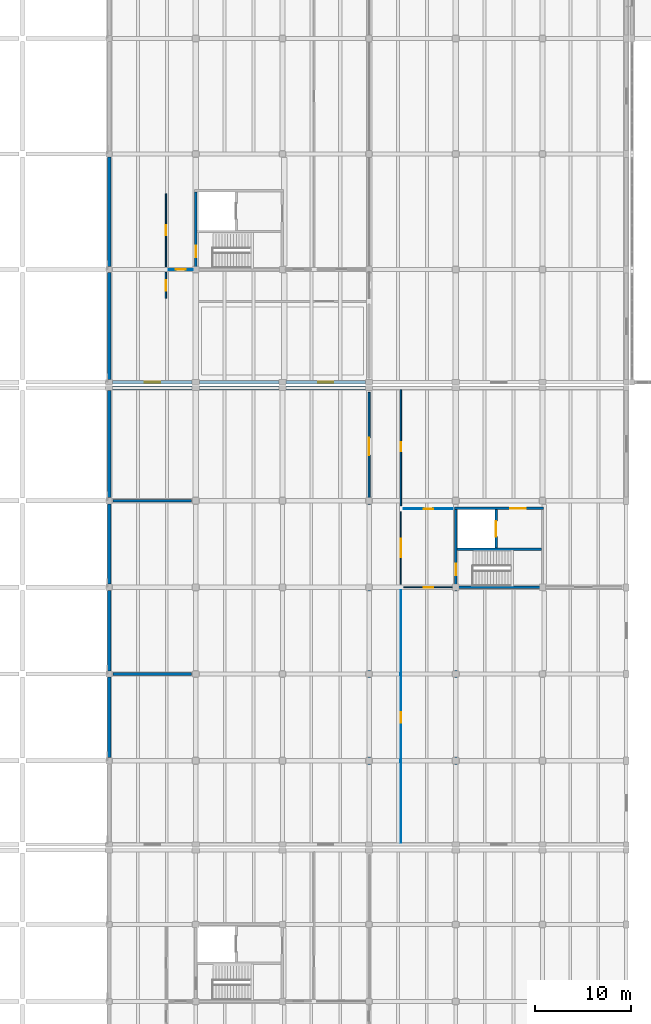
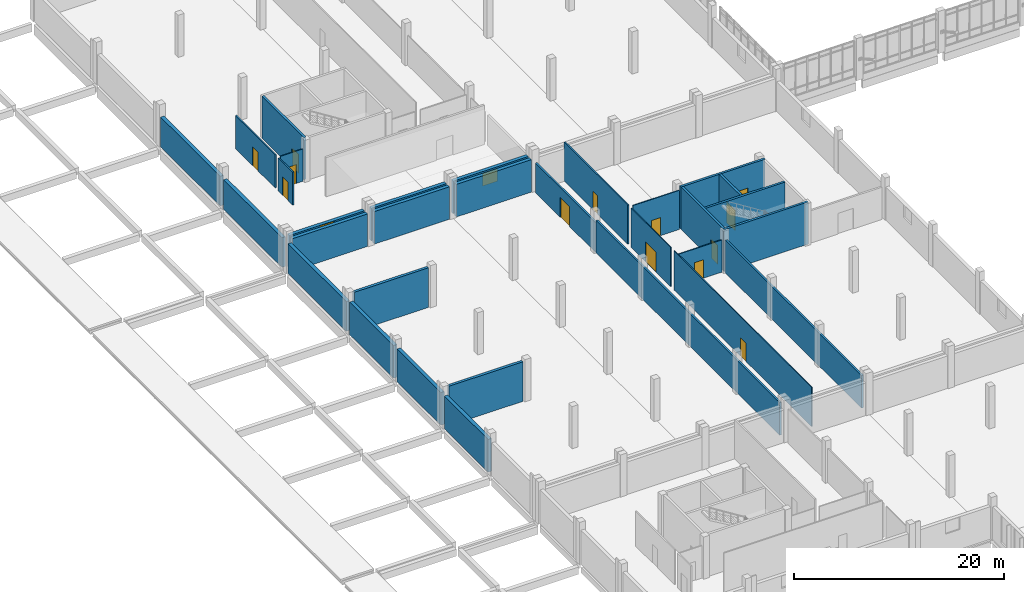
# One storey, part 80 of 110: 31 walls, 13 doors, 2 windows, 15 openings.
"""IFC4 building model written with IfcOpenShell, lengths in metres."""

import ifcopenshell
import ifcopenshell.guid

model = None  # the IFC model being written
_history = None  # IfcOwnerHistory: only IFC2X3 demands one
_inside = {}  # id of a spatial element -> (the spatial element, [elements in it])
_under = {}  # id of a project, library or spatial element -> (it, [spatial elements below it])
_declared = {}  # id of a project -> (the project, [libraries it declares])
_typed = {}  # id of a type object -> (the type object, [elements of that type])
_made_of = {}  # id of a material, layer set ... -> (it, [elements and type objects made of it])


def new_model(schema):
    """Start an empty IFC model of exactly this schema.

    Asked for "IFC4X3", IfcOpenShell would pick the latest addendum, in which some entities
    have other attributes; the version numbers below select the first issue.
    IFC2X3 requires an IfcOwnerHistory on every rooted entity: one is made here for all.
    """
    global model, _history
    if schema == "IFC4X3":
        model = ifcopenshell.file(schema_version=(4, 3, 0, 0))
    else:
        model = ifcopenshell.file(schema=schema)
    _inside.clear()
    _under.clear()
    _declared.clear()
    _typed.clear()
    _made_of.clear()
    _history = None
    if model.schema == "IFC2X3":
        org = make("IfcOrganization", Name="unknown")
        user = make(
            "IfcPersonAndOrganization",
            ThePerson=make("IfcPerson", FamilyName="unknown"),
            TheOrganization=org,
        )
        app = make(
            "IfcApplication",
            ApplicationDeveloper=org,
            Version="unknown",
            ApplicationFullName="unknown",
            ApplicationIdentifier="unknown",
        )
        _history = make(
            "IfcOwnerHistory",
            OwningUser=user,
            OwningApplication=app,
            ChangeAction="ADDED",
            CreationDate=0,
        )
    return model


def make(cls, **values):
    """One entity of the class cls with the attributes given. An attribute that is None is left unset."""
    return model.create_entity(
        cls, **{name: value for name, value in values.items() if value is not None}
    )


def rooted(cls, **values):
    """An entity with a GlobalId (a new one), such as an element, a storey or a relation."""
    return make(cls, GlobalId=ifcopenshell.guid.new(), OwnerHistory=_history, **values)


def si_unit(unit_type, name, prefix=None):
    """IfcSIUnit, for example si_unit("LENGTHUNIT", "METRE", prefix="MILLI")."""
    return make("IfcSIUnit", UnitType=unit_type, Prefix=prefix, Name=name)


def assignment(units):
    """IfcUnitAssignment: the units of a project."""
    return None if units is None else make("IfcUnitAssignment", Units=units)


def point(xyz):
    """IfcCartesianPoint."""
    return None if xyz is None else make("IfcCartesianPoint", Coordinates=xyz)


def direction(xyz):
    """IfcDirection."""
    return None if xyz is None else make("IfcDirection", DirectionRatios=xyz)


def frame(location, z_axis=None, x_axis=None):
    """IfcAxis2Placement3D, a coordinate frame: its origin and axes. An axis left out is left unset."""
    return make(
        "IfcAxis2Placement3D",
        Location=point(location),
        Axis=direction(z_axis),
        RefDirection=direction(x_axis),
    )


def frame_2d(location, x_axis=None):
    """IfcAxis2Placement2D, a coordinate frame in the plane: its origin and x axis."""
    return make(
        "IfcAxis2Placement2D", Location=point(location), RefDirection=direction(x_axis)
    )


def origin():
    """The frame at (0, 0, 0) with its axes left unset."""
    return frame((0.0, 0.0, 0.0))


def place(relative_to, where):
    """IfcLocalPlacement: puts the frame where relative to a parent placement (None: the world)."""
    return make(
        "IfcLocalPlacement", PlacementRelTo=relative_to, RelativePlacement=where
    )


def context(
    kind, dimensions, precision=None, world=None, true_north=None, identifier=None
):
    """IfcGeometricRepresentationContext, for example the 3D "Model" context."""
    return make(
        "IfcGeometricRepresentationContext",
        ContextIdentifier=identifier,
        ContextType=kind,
        CoordinateSpaceDimension=dimensions,
        Precision=precision,
        WorldCoordinateSystem=world,
        TrueNorth=true_north,
    )


def subcontext(parent, identifier, kind, view, scale=None):
    """IfcGeometricRepresentationSubContext, for example "Body" below "Model"."""
    return make(
        "IfcGeometricRepresentationSubContext",
        ContextIdentifier=identifier,
        ContextType=kind,
        ParentContext=parent,
        TargetScale=scale,
        TargetView=view,
    )


def project(units=None, contexts=None):
    """IfcProject with its units and contexts."""
    return rooted(
        "IfcProject",
        Name="project",
        RepresentationContexts=contexts,
        UnitsInContext=assignment(units),
    )


def spatial(cls, under=None, at=None, **own):
    """A site, building, storey or space (cls), placed at a placement, below another one or the project."""
    s = rooted(cls, ObjectPlacement=at, **own)
    if under is not None:
        _under.setdefault(under.id(), (under, []))[1].append(s)
    return s


def profile(cls, at=None, kind="AREA", **sizes):
    """A parametric profile (cls). Its sizes go by their IFC names, for example OverallWidth=200.0."""
    return make(cls, ProfileType=kind, Position=at, **sizes)


def rectangle(**sizes):
    """IfcRectangleProfileDef."""
    return profile("IfcRectangleProfileDef", **sizes)


def extrude(swept, where, along, depth):
    """IfcExtrudedAreaSolid: the profile swept, set in the frame where, extruded along a direction by depth."""
    return make(
        "IfcExtrudedAreaSolid",
        SweptArea=swept,
        Position=where,
        ExtrudedDirection=direction(along),
        Depth=depth,
    )


def shape(context_of_items, identifier, shape_type, items):
    """IfcShapeRepresentation: the items that make up one representation, for example the "Body"."""
    return make(
        "IfcShapeRepresentation",
        ContextOfItems=context_of_items,
        RepresentationIdentifier=identifier,
        RepresentationType=shape_type,
        Items=items,
    )


def material(Name=None, Category=None):
    """IfcMaterial."""
    return make("IfcMaterial", Name=Name, Category=Category)


def layer(
    of_material, thickness, ventilated=None, Name=None, Category=None, Priority=None
):
    """IfcMaterialLayer: one layer of a wall or slab, of a material (None: an air gap)."""
    return make(
        "IfcMaterialLayer",
        Material=of_material,
        LayerThickness=thickness,
        IsVentilated=ventilated,
        Name=Name,
        Category=Category,
        Priority=Priority,
    )


def layer_set(layers, Name=None):
    """IfcMaterialLayerSet."""
    return make("IfcMaterialLayerSet", MaterialLayers=layers, LayerSetName=Name)


def made_of(thing, what):
    """Note that an element or type object is made of a material, layer set ...; save() writes the relation."""
    if what is not None:
        _made_of.setdefault(what.id(), (what, []))[1].append(thing)
    return thing


def type_object(cls, material=None, **own):
    """A type object (cls), such as IfcWallType, which elements share."""
    return made_of(rooted(cls, **own), material)


def element(
    cls,
    number,
    at=None,
    inside=None,
    cuts=None,
    type_object=None,
    material=None,
    context=None,
    identifier="Body",
    shape_type=None,
    held_by="IfcProductDefinitionShape",
    body=None,
    shapes=None,
    **own,
):
    """One element of the class cls, such as IfcWall. Its Tag is "e" and its number.

    at: its placement. inside: the storey or other place that contains it. cuts: it is an
    opening in that element (IfcRelVoidsElement). A single representation is given by context,
    identifier, shape_type and body (its items); several are given by shapes. held_by: the class
    of the entity that holds the representations. save() writes the other relations.
    """
    e = rooted(cls, Tag="e%d" % number, ObjectPlacement=at, **own)
    if body is not None:
        shapes = [shape(context, identifier, shape_type, body)]
    if shapes is not None:
        e.Representation = make(held_by, Representations=shapes)
    if inside is not None:
        _inside.setdefault(inside.id(), (inside, []))[1].append(e)
    if cuts is not None:
        rooted(
            "IfcRelVoidsElement", RelatingBuildingElement=cuts, RelatedOpeningElement=e
        )
    if type_object is not None:
        _typed.setdefault(type_object.id(), (type_object, []))[1].append(e)
    return made_of(e, material)


def fill(opening, filler):
    """IfcRelFillsElement: the door or window that sits in an opening."""
    return rooted(
        "IfcRelFillsElement",
        RelatingOpeningElement=opening,
        RelatedBuildingElement=filler,
    )


def aggregate(whole, parts):
    """IfcRelAggregates: a whole, such as a stair, and the parts it consists of."""
    return rooted("IfcRelAggregates", RelatingObject=whole, RelatedObjects=parts)


def save(model, path):
    """Write the relations noted so far, then the file.

    IfcRelAggregates (storeys below a building ...), IfcRelContainedInSpatialStructure (elements
    in a storey), IfcRelDefinesByType, IfcRelAssociatesMaterial and IfcRelDeclares: one each for
    every whole, place, type object, material and project.
    """
    for whole, parts in _under.values():
        aggregate(whole, parts)
    for where, things in _inside.values():
        rooted(
            "IfcRelContainedInSpatialStructure",
            RelatedElements=things,
            RelatingStructure=where,
        )
    for kind, things in _typed.values():
        rooted("IfcRelDefinesByType", RelatedObjects=things, RelatingType=kind)
    for what, things in _made_of.values():
        rooted("IfcRelAssociatesMaterial", RelatedObjects=things, RelatingMaterial=what)
    for by, libraries in _declared.values():
        rooted("IfcRelDeclares", RelatingContext=by, RelatedDefinitions=libraries)
    model.write(path)


model = new_model("IFC4")

# Units and contexts
model_context = context("Model", 3, precision=1e-05, world=origin(), true_north=direction((0.0, 1.0)))
body_context = subcontext(model_context, "Body", "Model", "MODEL_VIEW")
ifc_project = project(units=[si_unit("LENGTHUNIT", "METRE"), si_unit("AREAUNIT", "SQUARE_METRE"), si_unit("VOLUMEUNIT", "CUBIC_METRE"), si_unit("PLANEANGLEUNIT", "RADIAN"), si_unit("MASSUNIT", "GRAM", prefix="KILO")], contexts=[model_context])

# Site, building, storey
site_placement = place(None, origin())
site = spatial("IfcSite", under=ifc_project, at=site_placement, CompositionType="ELEMENT")
building_placement = place(site_placement, origin())
building = spatial("IfcBuilding", under=site, at=building_placement, Name="Zacnel Wholesale Market", CompositionType="ELEMENT")
storey_placement = place(building_placement, frame((0.0, 0.0, 6.300048828125)))
storey = spatial("IfcBuildingStorey", under=building, at=storey_placement, Name="L02", CompositionType="ELEMENT", Elevation=6.300048828125)

# Walls
ifc_material_1 = material(Name="PIR insulated cold-store panel")
ifc_layer_1 = layer(ifc_material_1, 0.2099609375)
ifc_layer_set_1 = layer_set([ifc_layer_1], Name="PIR insulated cold-store panel")
wall_type_1 = type_object("IfcWallType", Name="WL-COLD-INT210", PredefinedType="STANDARD", material=ifc_layer_set_1)
wall_1_placement = place(storey_placement, frame((54.0, 48.75, 0.0), z_axis=(0.0, 0.0, 1.0), x_axis=(0.0, 1.0, 0.0)))
element("IfcWall", 1, at=wall_1_placement, inside=storey, type_object=wall_type_1, Name="Interior partition L02-0073", PredefinedType="STANDARD", context=body_context, shape_type="SweptSolid", body=[
    extrude(rectangle(XDim=25.949951171875, YDim=0.2099609375, at=frame_2d((12.97509765625, 0.0))), origin(), (0.0, 0.0, 1.0), 3.800048828125),
])
ifc_material_2 = material(Name="Concrete C40/50", Category="concrete")
ifc_layer_2 = layer(ifc_material_2, 0.25)
ifc_layer_set_2 = layer_set([ifc_layer_2], Name="Concrete C40/50")
wall_type_2 = type_object("IfcWallType", Name="WL-CORE-SW250", PredefinedType="SOLIDWALL", material=ifc_layer_set_2)
wall_2_placement = place(storey_placement, frame((53.875, 75.0, 0.0), z_axis=(0.0, 0.0, 1.0), x_axis=(1.0, 0.0, 0.0)))
element("IfcWall", 2, at=wall_2_placement, inside=storey, type_object=wall_type_2, Name="Core C4 south shear wall L02", PredefinedType="SOLIDWALL", context=body_context, shape_type="SweptSolid", body=[
    extrude(rectangle(XDim=9.25, YDim=0.25, at=frame_2d((4.625, 0.0))), origin(), (0.0, 0.0, 1.0), 4.89990234375),
])

# Wall, opening, door
wall_3_placement = place(storey_placement, frame((53.875, 83.199951171875, 0.0), z_axis=(0.0, 0.0, 1.0), x_axis=(1.0, 0.0, 0.0)))
wall_3 = element("IfcWall", 3, at=wall_3_placement, inside=storey, type_object=wall_type_2, Name="Core C4 north shear wall L02", PredefinedType="SOLIDWALL", context=body_context, shape_type="SweptSolid", body=[
    extrude(rectangle(XDim=9.25, YDim=0.25, at=frame_2d((4.625, 0.0))), origin(), (0.0, 0.0, 1.0), 4.89990234375),
])
opening_1_placement = place(wall_3_placement, frame((5.77490234375, 0.0, 0.0)))
opening_1 = element("IfcOpeningElement", 4, at=opening_1_placement, cuts=wall_3, Name="Opening FD-02", PredefinedType="OPENING", context=body_context, shape_type="SweptSolid", body=[
    extrude(rectangle(XDim=1.60009765625, YDim=2.199951171875, at=frame_2d((0.800048828125, 1.10009765625))), frame((0.0, 0.135009765625, 0.0), z_axis=(0.0, -1.0, 0.0), x_axis=(1.0, 0.0, 0.0)), (0.0, 0.0, 1.0), 0.27001953125),
])
ifc_material_3 = material(Name="Galvanized steel", Category="steel")
door_type_1 = type_object("IfcDoorType", Name="DR-FIRE-LOBBY-1600", OperationType="NOTDEFINED", PredefinedType="DOOR", material=ifc_material_3)
door_1_placement = place(opening_1_placement, origin())
door_1 = element("IfcDoor", 5, at=door_1_placement, inside=storey, type_object=door_type_1, Name="Core lift lobby fire door C4 L02", OperationType="SINGLE_SWING_LEFT", OverallHeight=2.199951171875, OverallWidth=1.60009765625, PredefinedType="DOOR", context=body_context, shape_type="SweptSolid", body=[
    extrude(rectangle(XDim=1.60009765625, YDim=2.199951171875, at=frame_2d((0.800048828125, 1.10009765625))), frame((0.0, 0.02490234375, 0.0), z_axis=(0.0, -1.0, 0.0), x_axis=(1.0, 0.0, 0.0)), (0.0, 0.0, 1.0), 0.050048828125),
])
fill(opening_1, door_1)

wall_4_placement = place(storey_placement, frame((54.0, 75.125, 0.0), z_axis=(0.0, 0.0, 1.0), x_axis=(0.0, 1.0, 0.0)))
wall_4 = element("IfcWall", 6, at=wall_4_placement, inside=storey, type_object=wall_type_2, Name="Core C4 west shear wall L02", PredefinedType="SOLIDWALL", context=body_context, shape_type="SweptSolid", body=[
    extrude(rectangle(XDim=7.949951171875, YDim=0.25, at=frame_2d((3.97509765625, 0.0))), origin(), (0.0, 0.0, 1.0), 4.89990234375),
])
opening_2_placement = place(wall_4_placement, frame((1.14990234375, 0.0, 0.0)))
opening_2 = element("IfcOpeningElement", 7, at=opening_2_placement, cuts=wall_4, Name="Opening FD-01", PredefinedType="OPENING", context=body_context, shape_type="SweptSolid", body=[
    extrude(rectangle(XDim=1.199951171875, YDim=2.199951171875, at=frame_2d((0.60009765625, 1.10009765625))), frame((0.0, 0.135009765625, 0.0), z_axis=(0.0, -1.0, 0.0), x_axis=(1.0, 0.0, 0.0)), (0.0, 0.0, 1.0), 0.27001953125),
])
ifc_material_4 = material(Name="Galvanized steel", Category="steel")
door_type_2 = type_object("IfcDoorType", Name="DR-FIRE-STAIR-1200", OperationType="NOTDEFINED", PredefinedType="DOOR", material=ifc_material_4)
door_2_placement = place(opening_2_placement, origin())
door_2 = element("IfcDoor", 8, at=door_2_placement, inside=storey, type_object=door_type_2, Name="Protected stair fire door C4 L02", OperationType="SINGLE_SWING_RIGHT", OverallHeight=2.199951171875, OverallWidth=1.199951171875, PredefinedType="DOOR", context=body_context, shape_type="SweptSolid", body=[
    extrude(rectangle(XDim=1.199951171875, YDim=2.199951171875, at=frame_2d((0.60009765625, 1.10009765625))), frame((0.0, 0.02490234375, 0.0), z_axis=(0.0, -1.0, 0.0), x_axis=(1.0, 0.0, 0.0)), (0.0, 0.0, 1.0), 0.050048828125),
])
fill(opening_2, door_2)

# Wall
wall_5_placement = place(storey_placement, frame((54.125, 78.949951171875, 0.0), z_axis=(0.0, 0.0, 1.0), x_axis=(1.0, 0.0, 0.0)))
element("IfcWall", 9, at=wall_5_placement, inside=storey, type_object=wall_type_2, Name="Core C4 stair-shaft shear wall L02", PredefinedType="SOLIDWALL", context=body_context, shape_type="SweptSolid", body=[
    extrude(rectangle(XDim=8.75, YDim=0.25, at=frame_2d((4.375, 0.0))), origin(), (0.0, 0.0, 1.0), 4.89990234375),
])

# Wall, opening, door
wall_6_placement = place(storey_placement, frame((58.199951171875, 79.074951171875, 0.0), z_axis=(0.0, 0.0, 1.0), x_axis=(0.0, 1.0, 0.0)))
wall_6 = element("IfcWall", 10, at=wall_6_placement, inside=storey, type_object=wall_type_2, Name="Core C4 lift shaft front wall L02", PredefinedType="SOLIDWALL", context=body_context, shape_type="SweptSolid", body=[
    extrude(rectangle(XDim=4.0, YDim=0.25, at=frame_2d((2.0, 0.0))), origin(), (0.0, 0.0, 1.0), 4.89990234375),
])
opening_3_placement = place(wall_6_placement, frame((1.199951171875, 0.0, 0.0)))
opening_3 = element("IfcOpeningElement", 11, at=opening_3_placement, cuts=wall_6, Name="Opening LD-02", PredefinedType="OPENING", context=body_context, shape_type="SweptSolid", body=[
    extrude(rectangle(XDim=1.60009765625, YDim=2.39990234375, at=frame_2d((0.800048828125, 1.199951171875))), frame((0.0, 0.135009765625, 0.0), z_axis=(0.0, -1.0, 0.0), x_axis=(1.0, 0.0, 0.0)), (0.0, 0.0, 1.0), 0.27001953125),
])
ifc_material_5 = material(Name="Galvanized steel", Category="steel")
door_type_3 = type_object("IfcDoorType", Name="DR-LIFT-GOODS-1600", OperationType="NOTDEFINED", PredefinedType="DOOR", material=ifc_material_5)
door_3_placement = place(opening_3_placement, origin())
door_3 = element("IfcDoor", 12, at=door_3_placement, inside=storey, type_object=door_type_3, Name="Lift landing door LG-02 L02", OperationType="SLIDING_TO_LEFT", OverallHeight=2.39990234375, OverallWidth=1.60009765625, PredefinedType="DOOR", context=body_context, shape_type="SweptSolid", body=[
    extrude(rectangle(XDim=1.60009765625, YDim=2.39990234375, at=frame_2d((0.800048828125, 1.199951171875))), frame((0.0, 0.02490234375, 0.0), z_axis=(0.0, -1.0, 0.0), x_axis=(1.0, 0.0, 0.0)), (0.0, 0.0, 1.0), 0.050048828125),
])
fill(opening_3, door_3)

wall_7_placement = place(storey_placement, frame((27.0, 108.125, 0.0), z_axis=(0.0, 0.0, 1.0), x_axis=(0.0, 1.0, 0.0)))
wall_7 = element("IfcWall", 13, at=wall_7_placement, inside=storey, type_object=wall_type_2, Name="Core C5 west shear wall L02", PredefinedType="SOLIDWALL", context=body_context, shape_type="SweptSolid", body=[
    extrude(rectangle(XDim=7.949951171875, YDim=0.25, at=frame_2d((3.97509765625, 0.0))), origin(), (0.0, 0.0, 1.0), 4.89990234375),
])
opening_4_placement = place(wall_7_placement, frame((1.14990234375, 0.0, 0.0)))
opening_4 = element("IfcOpeningElement", 14, at=opening_4_placement, cuts=wall_7, Name="Opening FD-01", PredefinedType="OPENING", context=body_context, shape_type="SweptSolid", body=[
    extrude(rectangle(XDim=1.199951171875, YDim=2.199951171875, at=frame_2d((0.60009765625, 1.10009765625))), frame((0.0, 0.135009765625, 0.0), z_axis=(0.0, -1.0, 0.0), x_axis=(1.0, 0.0, 0.0)), (0.0, 0.0, 1.0), 0.27001953125),
])
door_4_placement = place(opening_4_placement, origin())
door_4 = element("IfcDoor", 15, at=door_4_placement, inside=storey, type_object=door_type_2, Name="Protected stair fire door C5 L02", OperationType="SINGLE_SWING_RIGHT", OverallHeight=2.199951171875, OverallWidth=1.199951171875, PredefinedType="DOOR", context=body_context, shape_type="SweptSolid", body=[
    extrude(rectangle(XDim=1.199951171875, YDim=2.199951171875, at=frame_2d((0.60009765625, 1.10009765625))), frame((0.0, 0.02490234375, 0.0), z_axis=(0.0, -1.0, 0.0), x_axis=(1.0, 0.0, 0.0)), (0.0, 0.0, 1.0), 0.050048828125),
])
fill(opening_4, door_4)

# Walls
ifc_material_6 = material(Name="Precast concrete C40/50 (insulated sandwich panel)", Category="concrete")
ifc_layer_3 = layer(ifc_material_6, 0.3798828125)
ifc_layer_set_3 = layer_set([ifc_layer_3], Name="Precast concrete C40/50 (insulated sandwich panel)")
wall_type_3 = type_object("IfcWallType", Name="WL-EXT-COLD-380", PredefinedType="SOLIDWALL", material=ifc_layer_set_3)
for number, where, z_axis, x_axis, name in (
    (16, (18.375, 95.699951171875, 0.0), (0.0, 0.0, 1.0), (1.0, 0.0, 0.0), "Exterior wall L02-0198"),
    (17, (27.375, 95.699951171875, 0.0), (0.0, 0.0, 1.0), (1.0, 0.0, 0.0), "Exterior wall L02-0199"),
    (18, (36.375, 95.699951171875, 0.0), (0.0, 0.0, 1.0), (1.0, 0.0, 0.0), "Exterior wall L02-0200"),
):
    element("IfcWall", number, at=place(storey_placement, frame(where, z_axis=z_axis, x_axis=x_axis)), inside=storey, type_object=wall_type_3, Name=name, PredefinedType="SOLIDWALL", context=body_context, shape_type="SweptSolid", body=[
        extrude(rectangle(XDim=8.25, YDim=0.3798828125, at=frame_2d((4.125, 0.0))), origin(), (0.0, 0.0, 1.0), 3.780029296875),
    ])
for number, where, z_axis, x_axis, name in (
    (19, (18.0, 57.324951171875, 0.0), (0.0, 0.0, 1.0), (0.0, 1.0, 0.0), "Exterior wall L02-0205"),
    (20, (18.0, 66.324951171875, 0.0), (0.0, 0.0, 1.0), (0.0, 1.0, 0.0), "Exterior wall L02-0206"),
    (21, (18.0, 75.324951171875, 0.0), (0.0, 0.0, 1.0), (0.0, 1.0, 0.0), "Exterior wall L02-0207"),
):
    element("IfcWall", number, at=place(storey_placement, frame(where, z_axis=z_axis, x_axis=x_axis)), inside=storey, type_object=wall_type_3, Name=name, PredefinedType="SOLIDWALL", context=body_context, shape_type="SweptSolid", body=[
        extrude(rectangle(XDim=8.35009765625, YDim=0.3798828125, at=frame_2d((4.175048828125, 0.0))), origin(), (0.0, 0.0, 1.0), 3.800048828125),
    ])
wall_8_placement = place(storey_placement, frame((18.0, 84.324951171875, 0.0), z_axis=(0.0, 0.0, 1.0), x_axis=(0.0, 1.0, 0.0)))
element("IfcWall", 22, at=wall_8_placement, inside=storey, type_object=wall_type_3, Name="Exterior wall L02-0208", PredefinedType="SOLIDWALL", context=body_context, shape_type="SweptSolid", body=[
    extrude(rectangle(XDim=11.10009765625, YDim=0.3798828125, at=frame_2d((5.550048828125, 0.0))), origin(), (0.0, 0.0, 1.0), 3.449951171875),
])

# Wall, opening, window
wall_9_placement = place(storey_placement, frame((18.375, 96.300048828125, 0.0), z_axis=(0.0, 0.0, 1.0), x_axis=(1.0, 0.0, 0.0)))
wall_9 = element("IfcWall", 23, at=wall_9_placement, inside=storey, type_object=wall_type_3, Name="Exterior wall L02-0214", PredefinedType="SOLIDWALL", context=body_context, shape_type="SweptSolid", body=[
    extrude(rectangle(XDim=8.25, YDim=0.3798828125, at=frame_2d((4.125, 0.0))), origin(), (0.0, 0.0, 1.0), 3.780029296875),
])
opening_5_placement = place(wall_9_placement, frame((3.324951171875, 0.0, 2.2900390625)))
opening_5 = element("IfcOpeningElement", 24, at=opening_5_placement, cuts=wall_9, Name="Opening W-06", PredefinedType="OPENING", context=body_context, shape_type="SweptSolid", body=[
    extrude(rectangle(XDim=1.60009765625, YDim=1.449951171875, at=frame_2d((0.800048828125, 0.72509765625))), frame((0.0, 0.199951171875, 0.0), z_axis=(0.0, -1.0, 0.0), x_axis=(1.0, 0.0, 0.0)), (0.0, 0.0, 1.0), 0.39990234375),
])
ifc_material_7 = material(Name="Laminated hurricane-impact low-E insulated glass", Category="glass")
window_type = type_object("IfcWindowType", Name="WIN-HIG-1600X1450", PartitioningType="DOUBLE_PANEL_HORIZONTAL", PredefinedType="WINDOW", material=ifc_material_7)
window_1_placement = place(opening_5_placement, origin())
window_1 = element("IfcWindow", 25, at=window_1_placement, inside=storey, type_object=window_type, Name="Window L02-0201", OverallHeight=1.449951171875, OverallWidth=1.60009765625, PartitioningType="DOUBLE_PANEL_HORIZONTAL", PredefinedType="WINDOW", context=body_context, shape_type="SweptSolid", body=[
    extrude(rectangle(XDim=1.60009765625, YDim=1.449951171875, at=frame_2d((0.800048828125, 0.72509765625))), frame((0.0, 0.030029296875, 0.0), z_axis=(0.0, -1.0, 0.0), x_axis=(1.0, 0.0, 0.0)), (0.0, 0.0, 1.0), 0.06005859375),
])
fill(opening_5, window_1)

# Wall
wall_10_placement = place(storey_placement, frame((27.375, 96.300048828125, 0.0), z_axis=(0.0, 0.0, 1.0), x_axis=(1.0, 0.0, 0.0)))
element("IfcWall", 26, at=wall_10_placement, inside=storey, type_object=wall_type_3, Name="Exterior wall L02-0215", PredefinedType="SOLIDWALL", context=body_context, shape_type="SweptSolid", body=[
    extrude(rectangle(XDim=8.25, YDim=0.3798828125, at=frame_2d((4.125, 0.0))), origin(), (0.0, 0.0, 1.0), 3.780029296875),
])

# Wall, opening, window
wall_11_placement = place(storey_placement, frame((36.375, 96.300048828125, 0.0), z_axis=(0.0, 0.0, 1.0), x_axis=(1.0, 0.0, 0.0)))
wall_11 = element("IfcWall", 27, at=wall_11_placement, inside=storey, type_object=wall_type_3, Name="Exterior wall L02-0216", PredefinedType="SOLIDWALL", context=body_context, shape_type="SweptSolid", body=[
    extrude(rectangle(XDim=8.25, YDim=0.3798828125, at=frame_2d((4.125, 0.0))), origin(), (0.0, 0.0, 1.0), 3.780029296875),
])
opening_6_placement = place(wall_11_placement, frame((3.324951171875, 0.0, 1.9599609375)))
opening_6 = element("IfcOpeningElement", 28, at=opening_6_placement, cuts=wall_11, Name="Opening W-06", PredefinedType="OPENING", context=body_context, shape_type="SweptSolid", body=[
    extrude(rectangle(XDim=1.60009765625, YDim=1.449951171875, at=frame_2d((0.800048828125, 0.72509765625))), frame((0.0, 0.199951171875, 0.0), z_axis=(0.0, -1.0, 0.0), x_axis=(1.0, 0.0, 0.0)), (0.0, 0.0, 1.0), 0.39990234375),
])
window_2_placement = place(opening_6_placement, origin())
window_2 = element("IfcWindow", 29, at=window_2_placement, inside=storey, type_object=window_type, Name="Window L02-0202", OverallHeight=1.449951171875, OverallWidth=1.60009765625, PartitioningType="DOUBLE_PANEL_HORIZONTAL", PredefinedType="WINDOW", context=body_context, shape_type="SweptSolid", body=[
    extrude(rectangle(XDim=1.60009765625, YDim=1.449951171875, at=frame_2d((0.800048828125, 0.72509765625))), frame((0.0, 0.030029296875, 0.0), z_axis=(0.0, -1.0, 0.0), x_axis=(1.0, 0.0, 0.0)), (0.0, 0.0, 1.0), 0.06005859375),
])
fill(opening_6, window_2)

# Walls
wall_12_placement = place(storey_placement, frame((18.0, 96.574951171875, 0.0), z_axis=(0.0, 0.0, 1.0), x_axis=(0.0, 1.0, 0.0)))
element("IfcWall", 30, at=wall_12_placement, inside=storey, type_object=wall_type_3, Name="Exterior wall L02-0226", PredefinedType="SOLIDWALL", context=body_context, shape_type="SweptSolid", body=[
    extrude(rectangle(XDim=11.10009765625, YDim=0.3798828125, at=frame_2d((5.550048828125, 0.0))), origin(), (0.0, 0.0, 1.0), 3.449951171875),
])
wall_13_placement = place(storey_placement, frame((18.0, 108.324951171875, 0.0), z_axis=(0.0, 0.0, 1.0), x_axis=(0.0, 1.0, 0.0)))
element("IfcWall", 31, at=wall_13_placement, inside=storey, type_object=wall_type_3, Name="Exterior wall L02-0227", PredefinedType="SOLIDWALL", context=body_context, shape_type="SweptSolid", body=[
    extrude(rectangle(XDim=11.35009765625, YDim=0.3798828125, at=frame_2d((5.675048828125, 0.0))), origin(), (0.0, 0.0, 1.0), 3.449951171875),
])

# Wall, opening, door
ifc_material_8 = material(Name="Moisture-resistant gypsum board partition")
ifc_layer_4 = layer(ifc_material_8, 0.10009765625)
ifc_layer_set_4 = layer_set([ifc_layer_4], Name="Moisture-resistant gypsum board partition")
wall_type_4 = type_object("IfcWallType", Name="WL-PART-GYP100", PredefinedType="PARTITIONING", material=ifc_layer_set_4)
wall_14_placement = place(storey_placement, frame((48.300048828125, 48.469970703125, 0.0), z_axis=(0.0, 0.0, 1.0), x_axis=(0.0, 1.0, 0.0)))
wall_14 = element("IfcWall", 32, at=wall_14_placement, inside=storey, type_object=wall_type_4, Name="Interior partition L02-0068", PredefinedType="PARTITIONING", context=body_context, shape_type="SweptSolid", body=[
    extrude(rectangle(XDim=26.22998046875, YDim=0.10009765625, at=frame_2d((13.114990234375, 0.0))), origin(), (0.0, 0.0, 1.0), 4.56005859375),
])
opening_7_placement = place(wall_14_placement, frame((12.489990234375, 0.0, 0.0)))
opening_7 = element("IfcOpeningElement", 33, at=opening_7_placement, cuts=wall_14, Name="Opening ID-10", PredefinedType="OPENING", context=body_context, shape_type="SweptSolid", body=[
    extrude(rectangle(XDim=1.080078125, YDim=2.14990234375, at=frame_2d((0.5400390625, 1.074951171875))), frame((0.0, 0.06005859375, 0.0), z_axis=(0.0, -1.0, 0.0), x_axis=(1.0, 0.0, 0.0)), (0.0, 0.0, 1.0), 0.1201171875),
])
ifc_material_9 = material(Name="Galvanized steel", Category="steel")
door_type_4 = type_object("IfcDoorType", Name="DR-STR-SGL-1080", OperationType="NOTDEFINED", PredefinedType="DOOR", material=ifc_material_9)
door_5_placement = place(opening_7_placement, origin())
door_5 = element("IfcDoor", 34, at=door_5_placement, inside=storey, type_object=door_type_4, Name="Interior door L02-0053", OperationType="SINGLE_SWING_LEFT", OverallHeight=2.14990234375, OverallWidth=1.080078125, PredefinedType="DOOR", context=body_context, shape_type="SweptSolid", body=[
    extrude(rectangle(XDim=1.080078125, YDim=2.14990234375, at=frame_2d((0.5400390625, 1.074951171875))), frame((0.0, 0.02490234375, 0.0), z_axis=(0.0, -1.0, 0.0), x_axis=(1.0, 0.0, 0.0)), (0.0, 0.0, 1.0), 0.050048828125),
])
fill(opening_7, door_5)

wall_15_placement = place(storey_placement, frame((48.60009765625, 83.14990234375, 0.0), z_axis=(0.0, 0.0, 1.0), x_axis=(1.0, 0.0, 0.0)))
wall_15 = element("IfcWall", 35, at=wall_15_placement, inside=storey, type_object=wall_type_4, Name="Interior partition L02-0072", PredefinedType="PARTITIONING", context=body_context, shape_type="SweptSolid", body=[
    extrude(rectangle(XDim=5.099853515625, YDim=0.10009765625, at=frame_2d((2.5498046875, 0.0))), origin(), (0.0, 0.0, 1.0), 4.56005859375),
])
opening_8_placement = place(wall_15_placement, frame((2.06005859375, 0.0, 0.0)))
opening_8 = element("IfcOpeningElement", 36, at=opening_8_placement, cuts=wall_15, Name="Opening ID-04", PredefinedType="OPENING", context=body_context, shape_type="SweptSolid", body=[
    extrude(rectangle(XDim=0.97998046875, YDim=2.1201171875, at=frame_2d((0.489990234375, 1.06005859375))), frame((0.0, 0.06005859375, 0.0), z_axis=(0.0, -1.0, 0.0), x_axis=(1.0, 0.0, 0.0)), (0.0, 0.0, 1.0), 0.1201171875),
])
ifc_material_10 = material(Name="Solid-core tropical hardwood door", Category="wood")
door_type_5 = type_object("IfcDoorType", Name="DR-OFF-SGL-980", OperationType="NOTDEFINED", PredefinedType="DOOR", material=ifc_material_10)
door_6_placement = place(opening_8_placement, origin())
door_6 = element("IfcDoor", 37, at=door_6_placement, inside=storey, type_object=door_type_5, Name="Interior door L02-0057", OperationType="SINGLE_SWING_LEFT", OverallHeight=2.1201171875, OverallWidth=0.97998046875, PredefinedType="DOOR", context=body_context, shape_type="SweptSolid", body=[
    extrude(rectangle(XDim=0.97998046875, YDim=2.1201171875, at=frame_2d((0.489990234375, 1.06005859375))), frame((0.0, 0.02490234375, 0.0), z_axis=(0.0, -1.0, 0.0), x_axis=(1.0, 0.0, 0.0)), (0.0, 0.0, 1.0), 0.050048828125),
])
fill(opening_8, door_6)

wall_16_placement = place(storey_placement, frame((24.199951171875, 108.0, 0.0), z_axis=(0.0, 0.0, 1.0), x_axis=(1.0, 0.0, 0.0)))
wall_16 = element("IfcWall", 38, at=wall_16_placement, inside=storey, type_object=wall_type_4, Name="Interior partition L02-0076", PredefinedType="PARTITIONING", context=body_context, shape_type="SweptSolid", body=[
    extrude(rectangle(XDim=2.5, YDim=0.10009765625, at=frame_2d((1.25, 0.0))), origin(), (0.0, 0.0, 1.0), 3.75),
])
opening_9_placement = place(wall_16_placement, frame((0.739990234375, 0.0, 0.0)))
opening_9 = element("IfcOpeningElement", 39, at=opening_9_placement, cuts=wall_16, Name="Opening ID-12", PredefinedType="OPENING", context=body_context, shape_type="SweptSolid", body=[
    extrude(rectangle(XDim=1.02001953125, YDim=2.179931640625, at=frame_2d((0.510009765625, 1.08984375))), frame((0.0, 0.06005859375, 0.0), z_axis=(0.0, -1.0, 0.0), x_axis=(1.0, 0.0, 0.0)), (0.0, 0.0, 1.0), 0.1201171875),
])
ifc_material_11 = material(Name="Solid-core tropical hardwood door", Category="wood")
door_type_6 = type_object("IfcDoorType", Name="DR-OFF-SGL-1020", OperationType="NOTDEFINED", PredefinedType="DOOR", material=ifc_material_11)
door_7_placement = place(opening_9_placement, origin())
door_7 = element("IfcDoor", 40, at=door_7_placement, inside=storey, type_object=door_type_6, Name="Interior door L02-0060", OperationType="SINGLE_SWING_LEFT", OverallHeight=2.179931640625, OverallWidth=1.02001953125, PredefinedType="DOOR", context=body_context, shape_type="SweptSolid", body=[
    extrude(rectangle(XDim=1.02001953125, YDim=2.179931640625, at=frame_2d((0.510009765625, 1.08984375))), frame((0.0, 0.02490234375, 0.0), z_axis=(0.0, -1.0, 0.0), x_axis=(1.0, 0.0, 0.0)), (0.0, 0.0, 1.0), 0.050048828125),
])
fill(opening_9, door_7)

ifc_material_12 = material(Name="Moisture-resistant gypsum board partition")
ifc_layer_5 = layer(ifc_material_12, 0.110107421875)
ifc_layer_set_5 = layer_set([ifc_layer_5], Name="Moisture-resistant gypsum board partition")
wall_type_5 = type_object("IfcWallType", Name="WL-PART-GYP110", PredefinedType="PARTITIONING", material=ifc_layer_set_5)
wall_17_placement = place(storey_placement, frame((48.300048828125, 75.300048828125, 0.0), z_axis=(0.0, 0.0, 1.0), x_axis=(0.0, 1.0, 0.0)))
wall_17 = element("IfcWall", 41, at=wall_17_placement, inside=storey, type_object=wall_type_5, Name="Interior partition L02-0067", PredefinedType="PARTITIONING", context=body_context, shape_type="SweptSolid", body=[
    extrude(rectangle(XDim=7.550048828125, YDim=0.110107421875, at=frame_2d((3.77490234375, 0.0))), origin(), (0.0, 0.0, 1.0), 4.56005859375),
])
opening_10_placement = place(wall_17_placement, frame((2.804931640625, 0.0, 0.0)))
opening_10 = element("IfcOpeningElement", 42, at=opening_10_placement, cuts=wall_17, Name="Opening ID-16", PredefinedType="OPENING", context=body_context, shape_type="SweptSolid", body=[
    extrude(rectangle(XDim=1.93994140625, YDim=2.320068359375, at=frame_2d((0.969970703125, 1.16015625))), frame((0.0, 0.06494140625, 0.0), z_axis=(0.0, -1.0, 0.0), x_axis=(1.0, 0.0, 0.0)), (0.0, 0.0, 1.0), 0.130126953125),
])
ifc_material_13 = material(Name="Solid-core tropical hardwood door", Category="wood")
door_type_7 = type_object("IfcDoorType", Name="DR-HALL-DBL-1940", OperationType="NOTDEFINED", PredefinedType="DOOR", material=ifc_material_13)
door_8_placement = place(opening_10_placement, origin())
door_8 = element("IfcDoor", 43, at=door_8_placement, inside=storey, type_object=door_type_7, Name="Interior door L02-0052", OperationType="DOUBLE_DOOR_SINGLE_SWING", OverallHeight=2.320068359375, OverallWidth=1.93994140625, PredefinedType="DOOR", context=body_context, shape_type="SweptSolid", body=[
    extrude(rectangle(XDim=1.93994140625, YDim=2.320068359375, at=frame_2d((0.969970703125, 1.16015625))), frame((0.0, 0.02490234375, 0.0), z_axis=(0.0, -1.0, 0.0), x_axis=(1.0, 0.0, 0.0)), (0.0, 0.0, 1.0), 0.050048828125),
])
fill(opening_10, door_8)

wall_18_placement = place(storey_placement, frame((48.60009765625, 75.0, 0.0), z_axis=(0.0, 0.0, 1.0), x_axis=(1.0, 0.0, 0.0)))
wall_18 = element("IfcWall", 44, at=wall_18_placement, inside=storey, type_object=wall_type_5, Name="Interior partition L02-0071", PredefinedType="PARTITIONING", context=body_context, shape_type="SweptSolid", body=[
    extrude(rectangle(XDim=5.099853515625, YDim=0.110107421875, at=frame_2d((2.5498046875, 0.0))), origin(), (0.0, 0.0, 1.0), 3.75),
])
opening_11_placement = place(wall_18_placement, frame((2.050048828125, 0.0, 0.0)))
opening_11 = element("IfcOpeningElement", 45, at=opening_11_placement, cuts=wall_18, Name="Opening ID-03", PredefinedType="OPENING", context=body_context, shape_type="SweptSolid", body=[
    extrude(rectangle(XDim=1.0, YDim=2.14990234375, at=frame_2d((0.5, 1.074951171875))), frame((0.0, 0.06494140625, 0.0), z_axis=(0.0, -1.0, 0.0), x_axis=(1.0, 0.0, 0.0)), (0.0, 0.0, 1.0), 0.130126953125),
])
ifc_material_14 = material(Name="Solid-core tropical hardwood door", Category="wood")
door_type_8 = type_object("IfcDoorType", Name="DR-OFF-SGL-1000", OperationType="NOTDEFINED", PredefinedType="DOOR", material=ifc_material_14)
door_9_placement = place(opening_11_placement, origin())
door_9 = element("IfcDoor", 46, at=door_9_placement, inside=storey, type_object=door_type_8, Name="Interior door L02-0056", OperationType="SINGLE_SWING_RIGHT", OverallHeight=2.14990234375, OverallWidth=1.0, PredefinedType="DOOR", context=body_context, shape_type="SweptSolid", body=[
    extrude(rectangle(XDim=1.0, YDim=2.14990234375, at=frame_2d((0.5, 1.074951171875))), frame((0.0, 0.02490234375, 0.0), z_axis=(0.0, -1.0, 0.0), x_axis=(1.0, 0.0, 0.0)), (0.0, 0.0, 1.0), 0.050048828125),
])
fill(opening_11, door_9)

ifc_material_15 = material(Name="Moisture-resistant gypsum board partition")
ifc_layer_6 = layer(ifc_material_15, 0.139892578125)
ifc_layer_set_6 = layer_set([ifc_layer_6], Name="Moisture-resistant gypsum board partition")
wall_type_6 = type_object("IfcWallType", Name="WL-PART-GYP140", PredefinedType="PARTITIONING", material=ifc_layer_set_6)
wall_19_placement = place(storey_placement, frame((48.300048828125, 83.449951171875, 0.0), z_axis=(0.0, 0.0, 1.0), x_axis=(0.0, 1.0, 0.0)))
wall_19 = element("IfcWall", 47, at=wall_19_placement, inside=storey, type_object=wall_type_6, Name="Interior partition L02-0069", PredefinedType="PARTITIONING", context=body_context, shape_type="SweptSolid", body=[
    extrude(rectangle(XDim=12.080078125, YDim=0.139892578125, at=frame_2d((6.0400390625, 0.0))), origin(), (0.0, 0.0, 1.0), 4.56005859375),
])
opening_12_placement = place(wall_19_placement, frame((5.705078125, 0.0, 0.0)))
opening_12 = element("IfcOpeningElement", 48, at=opening_12_placement, cuts=wall_19, Name="Opening ID-11", PredefinedType="OPENING", context=body_context, shape_type="SweptSolid", body=[
    extrude(rectangle(XDim=0.93994140625, YDim=2.139892578125, at=frame_2d((0.469970703125, 1.06982421875))), frame((0.0, 0.079833984375, 0.0), z_axis=(0.0, -1.0, 0.0), x_axis=(1.0, 0.0, 0.0)), (0.0, 0.0, 1.0), 0.159912109375),
])
ifc_material_16 = material(Name="Solid-core tropical hardwood door", Category="wood")
door_type_9 = type_object("IfcDoorType", Name="DR-OFF-SGL-940", OperationType="NOTDEFINED", PredefinedType="DOOR", material=ifc_material_16)
door_10_placement = place(opening_12_placement, origin())
door_10 = element("IfcDoor", 49, at=door_10_placement, inside=storey, type_object=door_type_9, Name="Interior door L02-0054", OperationType="SINGLE_SWING_RIGHT", OverallHeight=2.139892578125, OverallWidth=0.93994140625, PredefinedType="DOOR", context=body_context, shape_type="SweptSolid", body=[
    extrude(rectangle(XDim=0.93994140625, YDim=2.139892578125, at=frame_2d((0.469970703125, 1.06982421875))), frame((0.0, 0.02490234375, 0.0), z_axis=(0.0, -1.0, 0.0), x_axis=(1.0, 0.0, 0.0)), (0.0, 0.0, 1.0), 0.050048828125),
])
fill(opening_12, door_10)

ifc_material_17 = material(Name="Concrete blockwork masonry", Category="masonry")
ifc_layer_7 = layer(ifc_material_17, 0.135009765625)
ifc_layer_set_7 = layer_set([ifc_layer_7], Name="Concrete blockwork masonry")
wall_type_7 = type_object("IfcWallType", Name="WL-PART-MAS135", PredefinedType="PARTITIONING", material=ifc_layer_set_7)
wall_20_placement = place(storey_placement, frame((23.89990234375, 108.300048828125, 0.0), z_axis=(0.0, 0.0, 1.0), x_axis=(0.0, 1.0, 0.0)))
wall_20 = element("IfcWall", 50, at=wall_20_placement, inside=storey, type_object=wall_type_7, Name="Interior partition L02-0082", PredefinedType="PARTITIONING", context=body_context, shape_type="SweptSolid", body=[
    extrude(rectangle(XDim=7.550048828125, YDim=0.135009765625, at=frame_2d((3.77490234375, 0.0))), origin(), (0.0, 0.0, 1.0), 3.849853515625),
])
opening_13_placement = place(wall_20_placement, frame((3.264892578125, 0.0, 0.0)))
opening_13 = element("IfcOpeningElement", 51, at=opening_13_placement, cuts=wall_20, Name="Opening ID-12", PredefinedType="OPENING", context=body_context, shape_type="SweptSolid", body=[
    extrude(rectangle(XDim=1.02001953125, YDim=2.179931640625, at=frame_2d((0.510009765625, 1.08984375))), frame((0.0, 0.077392578125, 0.0), z_axis=(0.0, -1.0, 0.0), x_axis=(1.0, 0.0, 0.0)), (0.0, 0.0, 1.0), 0.155029296875),
])
door_11_placement = place(opening_13_placement, origin())
door_11 = element("IfcDoor", 52, at=door_11_placement, inside=storey, type_object=door_type_6, Name="Interior door L02-0065", OperationType="SINGLE_SWING_RIGHT", OverallHeight=2.179931640625, OverallWidth=1.02001953125, PredefinedType="DOOR", context=body_context, shape_type="SweptSolid", body=[
    extrude(rectangle(XDim=1.02001953125, YDim=2.179931640625, at=frame_2d((0.510009765625, 1.08984375))), frame((0.0, 0.02490234375, 0.0), z_axis=(0.0, -1.0, 0.0), x_axis=(1.0, 0.0, 0.0)), (0.0, 0.0, 1.0), 0.050048828125),
])
fill(opening_13, door_11)

ifc_material_18 = material(Name="Concrete blockwork masonry", Category="masonry")
ifc_layer_8 = layer(ifc_material_18, 0.14990234375)
ifc_layer_set_8 = layer_set([ifc_layer_8], Name="Concrete blockwork masonry")
wall_type_8 = type_object("IfcWallType", Name="WL-PART-MAS150", PredefinedType="PARTITIONING", material=ifc_layer_set_8)
wall_21_placement = place(storey_placement, frame((23.89990234375, 105.0, 0.0), z_axis=(0.0, 0.0, 1.0), x_axis=(0.0, 1.0, 0.0)))
wall_21 = element("IfcWall", 53, at=wall_21_placement, inside=storey, type_object=wall_type_8, Name="Interior partition L02-0079", PredefinedType="PARTITIONING", context=body_context, shape_type="SweptSolid", body=[
    extrude(rectangle(XDim=2.699951171875, YDim=0.14990234375, at=frame_2d((1.35009765625, 0.0))), origin(), (0.0, 0.0, 1.0), 3.849853515625),
])
opening_14_placement = place(wall_21_placement, frame((0.81005859375, 0.0, 0.0)))
opening_14 = element("IfcOpeningElement", 54, at=opening_14_placement, cuts=wall_21, Name="Opening ID-10", PredefinedType="OPENING", context=body_context, shape_type="SweptSolid", body=[
    extrude(rectangle(XDim=1.080078125, YDim=2.14990234375, at=frame_2d((0.5400390625, 1.074951171875))), frame((0.0, 0.0849609375, 0.0), z_axis=(0.0, -1.0, 0.0), x_axis=(1.0, 0.0, 0.0)), (0.0, 0.0, 1.0), 0.169921875),
])
door_12_placement = place(opening_14_placement, origin())
door_12 = element("IfcDoor", 55, at=door_12_placement, inside=storey, type_object=door_type_4, Name="Interior door L02-0063", OperationType="SINGLE_SWING_RIGHT", OverallHeight=2.14990234375, OverallWidth=1.080078125, PredefinedType="DOOR", context=body_context, shape_type="SweptSolid", body=[
    extrude(rectangle(XDim=1.080078125, YDim=2.14990234375, at=frame_2d((0.5400390625, 1.074951171875))), frame((0.0, 0.02490234375, 0.0), z_axis=(0.0, -1.0, 0.0), x_axis=(1.0, 0.0, 0.0)), (0.0, 0.0, 1.0), 0.050048828125),
])
fill(opening_14, door_12)

# Wall
ifc_material_19 = material(Name="Concrete blockwork masonry", Category="masonry")
ifc_layer_9 = layer(ifc_material_19, 0.199951171875)
ifc_layer_set_9 = layer_set([ifc_layer_9], Name="Concrete blockwork masonry")
wall_type_9 = type_object("IfcWallType", Name="WL-PART-MAS200", PredefinedType="PARTITIONING", material=ifc_layer_set_9)
wall_22_placement = place(storey_placement, frame((45.0, 48.75, 0.0), z_axis=(0.0, 0.0, 1.0), x_axis=(0.0, 1.0, 0.0)))
element("IfcWall", 56, at=wall_22_placement, inside=storey, type_object=wall_type_9, Name="Interior partition L02-0070", PredefinedType="PARTITIONING", context=body_context, shape_type="SweptSolid", body=[
    extrude(rectangle(XDim=34.925048828125, YDim=0.199951171875, at=frame_2d((17.46240234375, 0.0))), origin(), (0.0, 0.0, 1.0), 3.800048828125),
])

# Wall, opening, door
wall_23_placement = place(storey_placement, frame((45.0, 83.675048828125, 0.0), z_axis=(0.0, 0.0, 1.0), x_axis=(0.0, 1.0, 0.0)))
wall_23 = element("IfcWall", 57, at=wall_23_placement, inside=storey, type_object=wall_type_9, Name="Interior partition L02-0070 part 2", PredefinedType="PARTITIONING", context=body_context, shape_type="SweptSolid", body=[
    extrude(rectangle(XDim=11.574951171875, YDim=0.199951171875, at=frame_2d((5.78759765625, 0.0))), origin(), (0.0, 0.0, 1.0), 3.449951171875),
])
opening_15_placement = place(wall_23_placement, frame((5.050048828125, 0.0, 0.0)))
opening_15 = element("IfcOpeningElement", 58, at=opening_15_placement, cuts=wall_23, Name="Opening FD-03", PredefinedType="OPENING", context=body_context, shape_type="SweptSolid", body=[
    extrude(rectangle(XDim=1.800048828125, YDim=2.300048828125, at=frame_2d((0.89990234375, 1.14990234375))), frame((0.0, 0.10986328125, 0.0), z_axis=(0.0, -1.0, 0.0), x_axis=(1.0, 0.0, 0.0)), (0.0, 0.0, 1.0), 0.219970703125),
])
ifc_material_20 = material(Name="Galvanized steel", Category="steel")
door_type_10 = type_object("IfcDoorType", Name="DR-FIRE-COMP-1800", OperationType="NOTDEFINED", PredefinedType="DOOR", material=ifc_material_20)
door_13_placement = place(opening_15_placement, origin())
door_13 = element("IfcDoor", 59, at=door_13_placement, inside=storey, type_object=door_type_10, Name="Interior door L02-0055", OperationType="SINGLE_SWING_LEFT", OverallHeight=2.300048828125, OverallWidth=1.800048828125, PredefinedType="DOOR", context=body_context, shape_type="SweptSolid", body=[
    extrude(rectangle(XDim=1.800048828125, YDim=2.300048828125, at=frame_2d((0.89990234375, 1.14990234375))), frame((0.0, 0.02490234375, 0.0), z_axis=(0.0, -1.0, 0.0), x_axis=(1.0, 0.0, 0.0)), (0.0, 0.0, 1.0), 0.050048828125),
])
fill(opening_15, door_13)

# Walls
ifc_material_21 = material(Name="Concrete C40/50", Category="concrete")
ifc_layer_10 = layer(ifc_material_21, 0.300048828125)
ifc_layer_set_10 = layer_set([ifc_layer_10], Name="Concrete C40/50")
wall_type_10 = type_object("IfcWallType", Name="WL-SHEAR-300", PredefinedType="SHEAR", material=ifc_layer_set_10)
for number, where, z_axis, x_axis, name in (
    (60, (18.419921875, 66.0, 0.0), (0.0, 0.0, 1.0), (1.0, 0.0, 0.0), "Lateral RC shear wall 03"),
    (61, (18.419921875, 84.0, 0.0), (0.0, 0.0, 1.0), (1.0, 0.0, 0.0), "Lateral RC shear wall 04"),
):
    element("IfcWall", number, at=place(storey_placement, frame(where, z_axis=z_axis, x_axis=x_axis)), inside=storey, type_object=wall_type_10, Name=name, PredefinedType="SHEAR", context=body_context, shape_type="SweptSolid", body=[
        extrude(rectangle(XDim=8.16015625, YDim=0.300048828125, at=frame_2d((4.080078125, 0.0))), origin(), (0.0, 0.0, 1.0), 4.599853515625),
    ])

save(model, "model.ifc")
